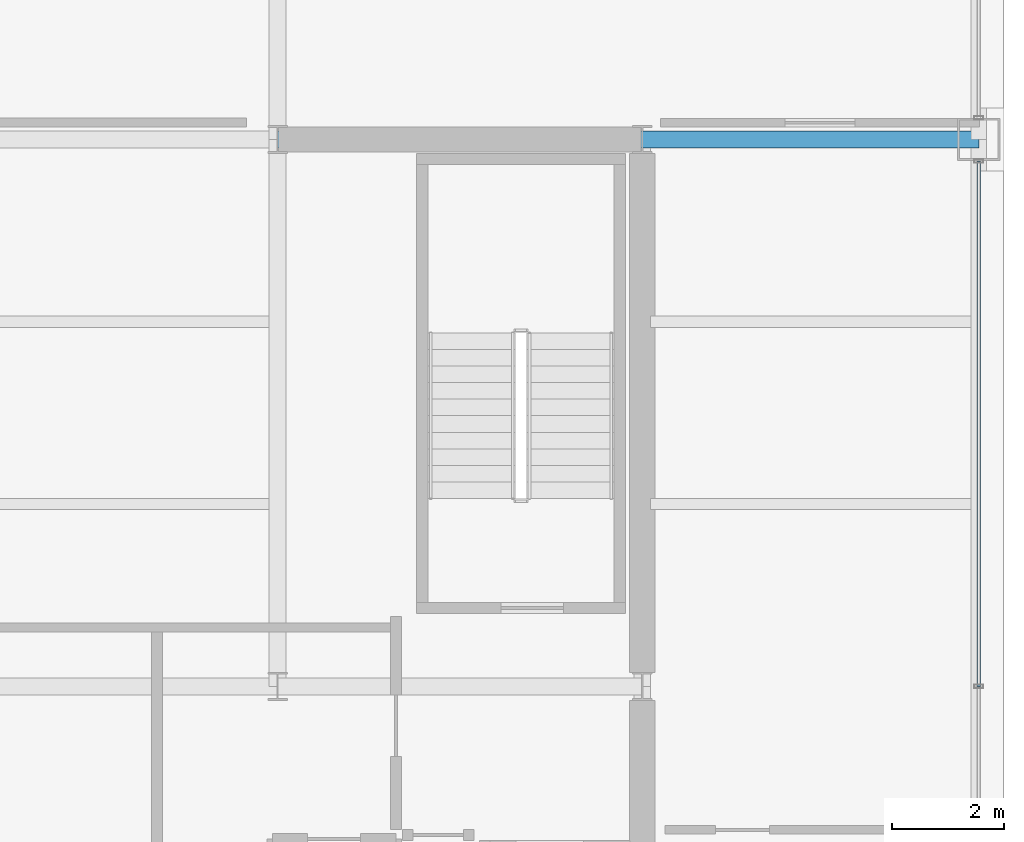
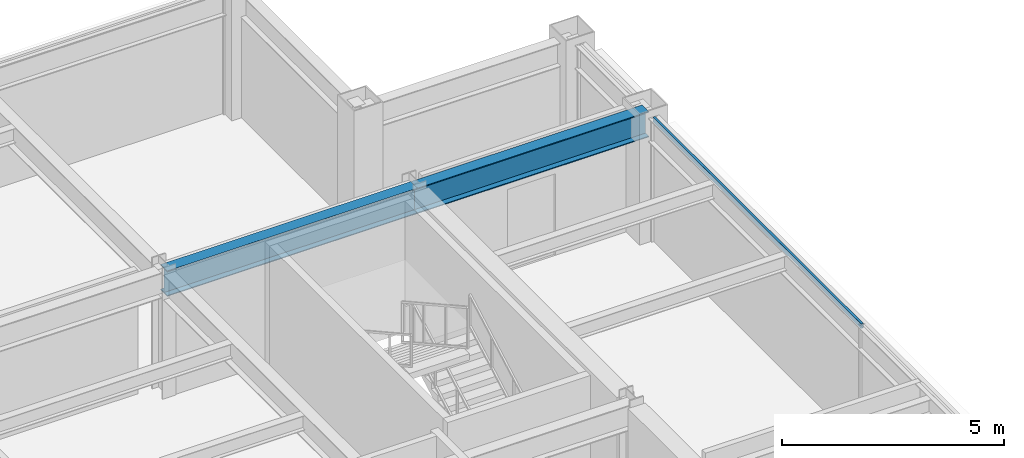
# One storey, part 16 of 27: 2 beams, 1 member, 1 element without a shape of its own.
"""IFC4 building model written with IfcOpenShell, lengths in metres."""

from ifc_helpers import new_model, si_unit, direction, frame, origin, origin_2d, place, context, subcontext, project, spatial, hollow_rectangle, i_section, extrude, material, layer, layer_set, material_profile, profile_set, type_object, element, aggregate, save


model = new_model("IFC4")

# Units and contexts
model_context = context("Model", 3, precision=1e-05, world=origin(), true_north=direction((0.0, 1.0)))
body_context = subcontext(model_context, "Body", "Model", "MODEL_VIEW")
ifc_project = project(units=[si_unit("LENGTHUNIT", "METRE"), si_unit("AREAUNIT", "SQUARE_METRE"), si_unit("VOLUMEUNIT", "CUBIC_METRE"), si_unit("PLANEANGLEUNIT", "RADIAN"), si_unit("MASSUNIT", "GRAM", prefix="KILO")], contexts=[model_context])

# Site, building, storey
site_placement = place(None, origin())
site = spatial("IfcSite", under=ifc_project, at=site_placement, CompositionType="ELEMENT")
building_placement = place(site_placement, origin())
building = spatial("IfcBuilding", under=site, at=building_placement, Name="Brelmoor Portico Tower", CompositionType="ELEMENT")
storey_placement = place(building_placement, frame((0.0, 0.0, 158.699951171875)))
storey = spatial("IfcBuildingStorey", under=building, at=storey_placement, Name="L41", CompositionType="ELEMENT", Elevation=158.699951171875)

# Beams
ifc_material_1 = material(Name="Steel Q355B", Category="steel")
ifc_material_profile_1 = material_profile(ifc_material_1, i_section(OverallWidth=0.300048828125, OverallDepth=0.699951171875, WebThickness=0.012939453125, FlangeThickness=0.02392578125, at=origin_2d()), Name="HN 700x300x13x24")
ifc_profile_set_1 = profile_set([ifc_material_profile_1], Name="Steel Q355B")
beam_type = type_object("IfcBeamType", Name="BM-PG-700", PredefinedType="BEAM", material=ifc_profile_set_1)
beam_1_placement = place(storey_placement, frame((8.050048828125, 9.75, 3.050048828125), z_axis=(1.0, 0.0, 0.0), x_axis=(0.0, 1.0, 0.0)))
element("IfcBeam", 1, at=beam_1_placement, inside=storey, type_object=beam_type, Name="L41 Primary Floor Girder PG-22", PredefinedType="BEAM", context=body_context, shape_type="SweptSolid", body=[
    extrude(i_section(OverallWidth=0.300048828125, OverallDepth=0.699951171875, WebThickness=0.012939453125, FlangeThickness=0.02392578125, at=origin_2d()), origin(), (0.0, 0.0, 1.0), 6.5),
])
beam_2_placement = place(storey_placement, frame((14.550048828125, 9.75, 3.050048828125), z_axis=(1.0, 0.0, 0.0), x_axis=(0.0, 1.0, 0.0)))
element("IfcBeam", 2, at=beam_2_placement, inside=storey, type_object=beam_type, Name="L41 Primary Floor Girder PG-23", PredefinedType="BEAM", context=body_context, shape_type="SweptSolid", body=[
    extrude(i_section(OverallWidth=0.300048828125, OverallDepth=0.699951171875, WebThickness=0.012939453125, FlangeThickness=0.02392578125, at=origin_2d()), origin(), (0.0, 0.0, 1.0), 6.0),
])

# Curtain wall, member
ifc_material_2 = material(Name="Anodised Aluminium Alloy 6063-T6", Category="aluminium")
ifc_layer = layer(ifc_material_2, 0.179931640625)
ifc_layer_set = layer_set([ifc_layer], Name="Anodised Aluminium Alloy 6063-T6")
curtain_wall_type = type_object("IfcCurtainWallType", Name="CW-TOWER-Z3-XB", PredefinedType="NOTDEFINED", material=ifc_layer_set)
curtain_wall_placement = place(storey_placement, origin())
curtain_wall = element("IfcCurtainWall", 3, at=curtain_wall_placement, inside=storey, type_object=curtain_wall_type, Name="L41 Curtain Wall CW-L41-04-2", PredefinedType="NOTDEFINED")
ifc_material_profile_2 = material_profile(ifc_material_2, hollow_rectangle(XDim=0.06005859375, YDim=0.125, WallThickness=0.00341796875, at=origin_2d()), Name="ALU TRANSOM 60x125")
ifc_profile_set_2 = profile_set([ifc_material_profile_2], Name="Anodised Aluminium Alloy 6063-T6")
member_type = type_object("IfcMemberType", Name="MB-CW-TRAN-125", PredefinedType="USERDEFINED", material=ifc_profile_set_2)
member_placement = place(storey_placement, frame((20.550048828125, 0.0, 3.337646484375), z_axis=(0.0, 1.0, 0.0), x_axis=(-1.0, 0.0, 0.0)))
member = element("IfcMember", 4, at=member_placement, type_object=member_type, Name="CW-L41-04-2 Transom 1-01", ObjectType="TRANSOM", PredefinedType="USERDEFINED", context=body_context, shape_type="SweptSolid", body=[
    extrude(hollow_rectangle(XDim=0.06005859375, YDim=0.125, WallThickness=0.00341796875, at=origin_2d()), origin(), (0.0, 0.0, 1.0), 9.364990234375),
])
aggregate(curtain_wall, [member])

save(model, "model.ifc")
